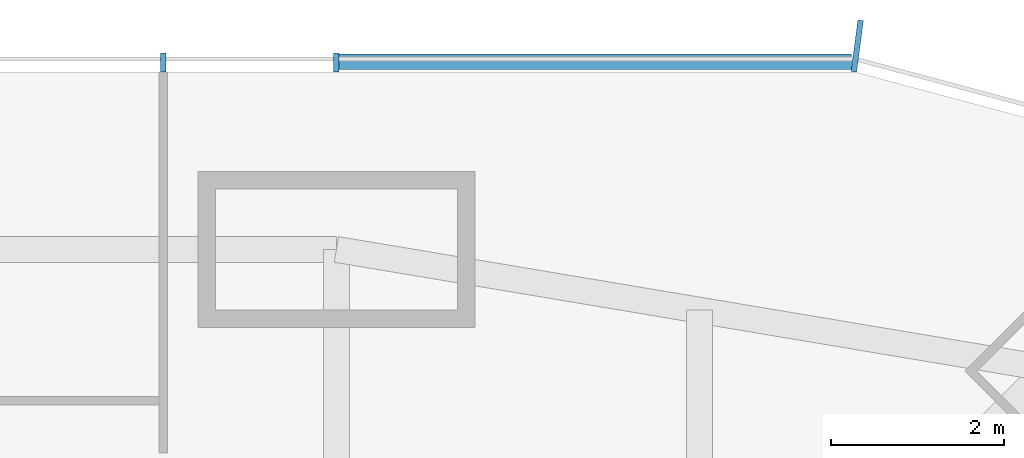
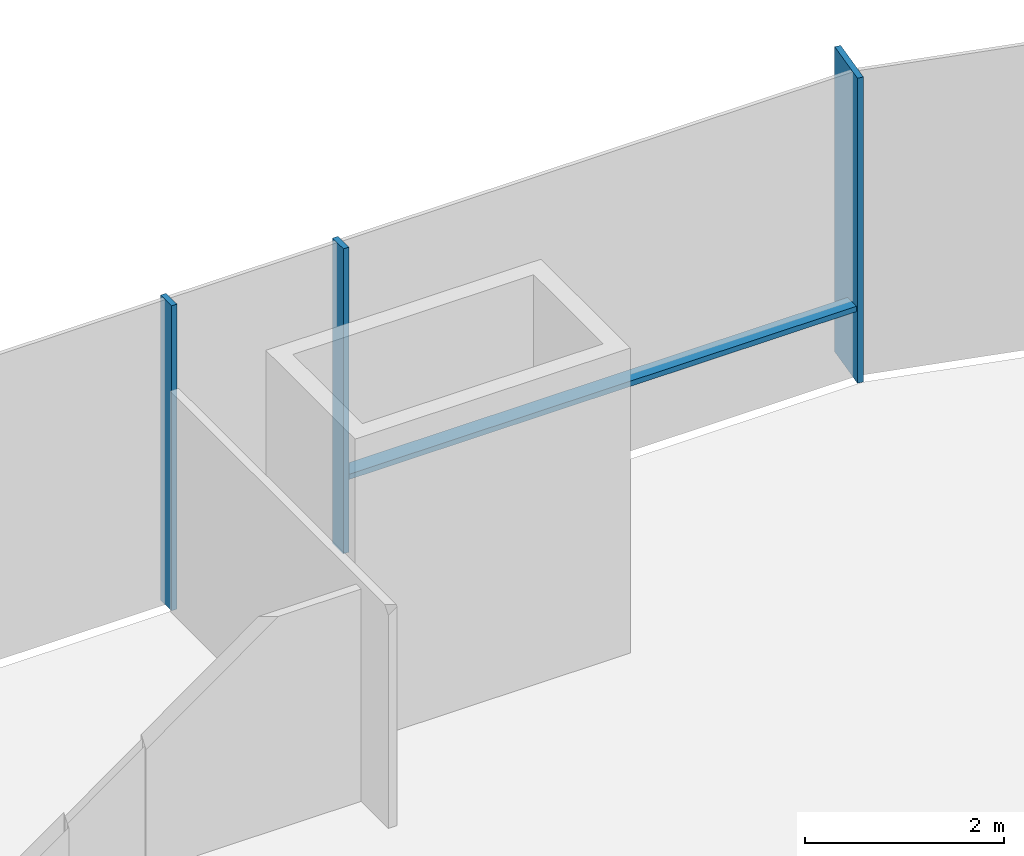
# One storey, part 12 of 20: 4 members, 1 element without a shape of its own.
"""IFC4 building model written with IfcOpenShell, lengths in metres."""

from ifc_helpers import new_model, si_unit, direction, frame, origin, origin_2d, place, context, subcontext, project, spatial, rectangle, extrude, material, material_profile, profile_set, type_object, element, aggregate, save


model = new_model("IFC4")

# Units and contexts
model_context = context("Model", 3, precision=1e-05, world=origin(), true_north=direction((0.0, 1.0)))
body_context = subcontext(model_context, "Body", "Model", "MODEL_VIEW")
ifc_project = project(units=[si_unit("LENGTHUNIT", "METRE"), si_unit("AREAUNIT", "SQUARE_METRE"), si_unit("VOLUMEUNIT", "CUBIC_METRE"), si_unit("PLANEANGLEUNIT", "RADIAN"), si_unit("MASSUNIT", "GRAM", prefix="KILO")], contexts=[model_context])

# Site, building, storey
site_placement = place(None, origin())
site = spatial("IfcSite", under=ifc_project, at=site_placement, CompositionType="ELEMENT")
building_placement = place(site_placement, origin())
building = spatial("IfcBuilding", under=site, at=building_placement, Name="Khuree Lantern Residences", CompositionType="ELEMENT")
storey_placement = place(building_placement, frame((0.0, 0.0, 32.25)))
storey = spatial("IfcBuildingStorey", under=building, at=storey_placement, Name="L07", CompositionType="ELEMENT", Elevation=32.25)

# Curtain wall, members
ifc_material = material(Name="Bronze anodised aluminium", Category="aluminium")
curtain_wall_type = type_object("IfcCurtainWallType", Name="CW-T1 TOWER FACE CURTAIN WALL", PredefinedType="USERDEFINED", material=ifc_material)
curtain_wall_placement = place(storey_placement, origin())
curtain_wall = element("IfcCurtainWall", 1, at=curtain_wall_placement, inside=storey, type_object=curtain_wall_type, Name="L07 NORTH FACE CURTAIN WALL", ObjectType="Stick-built curtain wall", PredefinedType="USERDEFINED")
ifc_material_profile_1 = material_profile(ifc_material, rectangle(XDim=0.06494140625, YDim=0.60009765625, at=origin_2d()), Name="F1 65X600")
ifc_profile_set_1 = profile_set([ifc_material_profile_1], Name="Bronze anodised aluminium")
member_type_1 = type_object("IfcMemberType", Name="F1 BRONZE FIN MULLION TOWER 65X600", PredefinedType="MULLION", material=ifc_profile_set_1)
member_1_placement = place(storey_placement, frame((26.019775390625, 32.150146484375, 0.0), z_axis=(0.0, 0.0, 1.0), x_axis=(-0.991444852794, 0.130526257387, 0.0)))
member_1 = element("IfcMember", 2, at=member_1_placement, type_object=member_type_1, Name="L07 NORTH FACE FIN MULLION 18", PredefinedType="MULLION", context=body_context, shape_type="SweptSolid", body=[
    extrude(rectangle(XDim=0.06494140625, YDim=0.60009765625, at=origin_2d()), origin(), (0.0, 0.0, 1.0), 3.75),
])
ifc_material_profile_2 = material_profile(ifc_material, rectangle(XDim=0.06494140625, YDim=0.219970703125, at=origin_2d()), Name="M1 65X220")
ifc_profile_set_2 = profile_set([ifc_material_profile_2], Name="Bronze anodised aluminium")
member_type_2 = type_object("IfcMemberType", Name="M1 BRONZE MULLION TOWER 65X220", PredefinedType="MULLION", material=ifc_profile_set_2)
member_2_placement = place(storey_placement, frame((20.0, 31.9599609375, 0.0), z_axis=(0.0, 0.0, 1.0), x_axis=(-1.0, 0.0, 0.0)))
member_2 = element("IfcMember", 3, at=member_2_placement, type_object=member_type_2, Name="L07 NORTH FACE MULLION 19", PredefinedType="MULLION", context=body_context, shape_type="SweptSolid", body=[
    extrude(rectangle(XDim=0.06494140625, YDim=0.219970703125, at=origin_2d()), origin(), (0.0, 0.0, 1.0), 3.75),
])
member_3_placement = place(storey_placement, frame((18.0, 31.9599609375, 0.0), z_axis=(0.0, 0.0, 1.0), x_axis=(-1.0, 0.0, 0.0)))
member_3 = element("IfcMember", 4, at=member_3_placement, type_object=member_type_2, Name="L07 NORTH FACE MULLION 20", PredefinedType="MULLION", context=body_context, shape_type="SweptSolid", body=[
    extrude(rectangle(XDim=0.06494140625, YDim=0.219970703125, at=origin_2d()), origin(), (0.0, 0.0, 1.0), 3.75),
])
ifc_material_profile_3 = material_profile(ifc_material, rectangle(XDim=0.179931640625, YDim=0.06494140625, at=origin_2d()), Name="T1 180X65")
ifc_profile_set_3 = profile_set([ifc_material_profile_3], Name="Bronze anodised aluminium")
member_type_3 = type_object("IfcMemberType", Name="TRANSOM T1 TOWER 180X65", PredefinedType="USERDEFINED", material=ifc_profile_set_3)
member_4_placement = place(storey_placement, frame((25.951416015625, 31.969970703125, 0.89990234375), z_axis=(-1.0, 0.0, 0.0), x_axis=(0.0, -1.0, 0.0)))
member_4 = element("IfcMember", 5, at=member_4_placement, type_object=member_type_3, Name="L07 NORTH FACE TRANSOM 18.1", ObjectType="Transom", PredefinedType="USERDEFINED", context=body_context, shape_type="SweptSolid", body=[
    extrude(rectangle(XDim=0.179931640625, YDim=0.06494140625, at=origin_2d()), origin(), (0.0, 0.0, 1.0), 5.9189453125),
])
aggregate(curtain_wall, [member_1, member_2, member_3, member_4])

save(model, "model.ifc")
